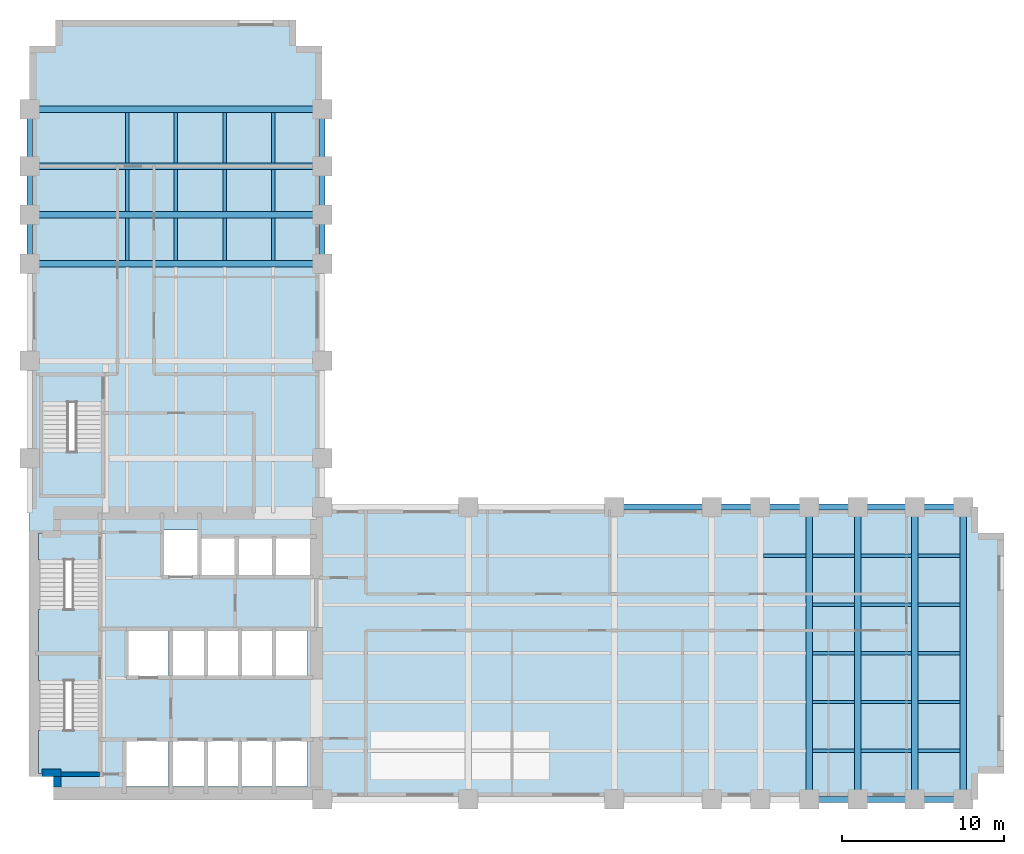
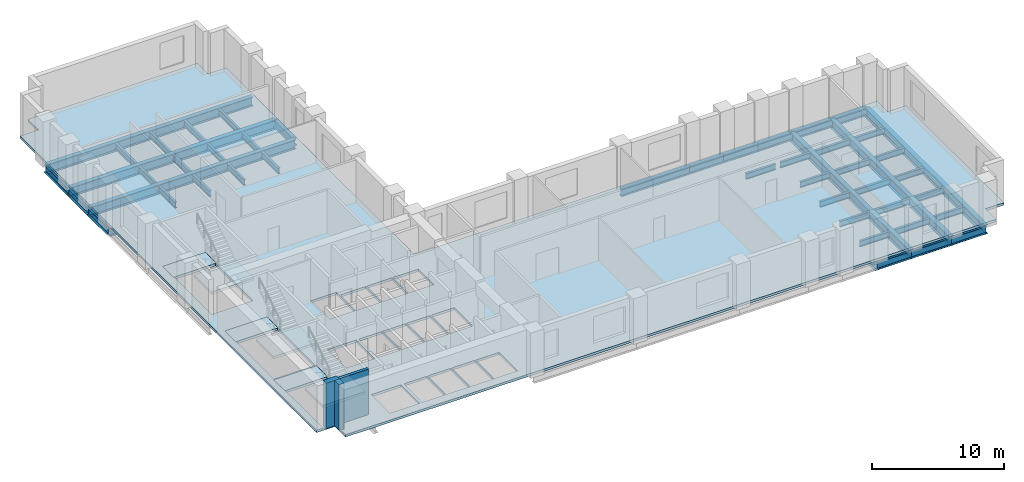
# One storey, part 2 of 7: 51 beams, 7 slabs, 3 walls, 3 elements without a shape of their own.
"""IFC4 building model written with IfcOpenShell, lengths in metres."""

from ifc_helpers import new_model, si_unit, direction, frame, frame_2d, origin, origin_2d, place, context, subcontext, project, spatial, polyline, rectangle, i_section, outline, extrude, material, layer, layer_set, material_profile, profile_set, type_object, element, aggregate, save


model = new_model("IFC4")

# Units and contexts
model_context = context("Model", 3, precision=1e-05, world=origin(), true_north=direction((0.0, 1.0)))
body_context = subcontext(model_context, "Body", "Model", "MODEL_VIEW")
ifc_project = project(units=[si_unit("LENGTHUNIT", "METRE"), si_unit("AREAUNIT", "SQUARE_METRE"), si_unit("VOLUMEUNIT", "CUBIC_METRE"), si_unit("PLANEANGLEUNIT", "RADIAN"), si_unit("MASSUNIT", "GRAM", prefix="KILO")], contexts=[model_context])

# Site, building, storey
site_placement = place(None, origin())
site = spatial("IfcSite", under=ifc_project, at=site_placement, CompositionType="ELEMENT")
building_placement = place(site_placement, origin())
building = spatial("IfcBuilding", under=site, at=building_placement, Name="Mawjdan Bourse Tower", CompositionType="ELEMENT")
storey_placement = place(building_placement, frame((0.0, 0.0, 46.800048828125)))
storey = spatial("IfcBuildingStorey", under=building, at=storey_placement, Name="L10", CompositionType="ELEMENT", Elevation=46.800048828125)

# Beams
ifc_material_1 = material(Name="Structural Steel S355", Category="steel")
ifc_material_profile_1 = material_profile(ifc_material_1, i_section(OverallWidth=0.39892578125, OverallDepth=0.85595703125, WebThickness=0.018310546875, FlangeThickness=0.029296875, FilletRadius=0.0234375, at=origin_2d()), Name="W33X201")
ifc_profile_set_1 = profile_set([ifc_material_profile_1], Name="Structural Steel S355")
beam_type_1 = type_object("IfcBeamType", Name="GRD-W33X201", PredefinedType="BEAM", material=ifc_profile_set_1)
for number, where, z_axis, x_axis, name in (
    (1, (54.0, 3.0, -0.64794921875), (0.0, 1.0, 0.0), (-1.0, 0.0, 0.0), "L10 East Wing Clear-Span Girder 006"),
    (2, (57.0, 3.0, -0.64794921875), (0.0, 1.0, 0.0), (-1.0, 0.0, 0.0), "L10 East Wing Clear-Span Girder 007"),
    (3, (60.5, 3.0, -0.64794921875), (0.0, 1.0, 0.0), (-1.0, 0.0, 0.0), "L10 East Wing Clear-Span Girder 008"),
    (4, (63.5, 3.0, -0.64794921875), (0.0, 1.0, 0.0), (-1.0, 0.0, 0.0), "L10 East Wing Clear-Span Girder 009"),
    (5, (6.0, 36.0, -0.64794921875), (1.0, 0.0, 0.0), (0.0, 1.0, 0.0), "L10 North Wing Clear-Span Girder 073"),
    (6, (6.0, 39.0, -0.64794921875), (1.0, 0.0, 0.0), (0.0, 1.0, 0.0), "L10 North Wing Clear-Span Girder 074"),
    (7, (6.0, 42.0, -0.64794921875), (1.0, 0.0, 0.0), (0.0, 1.0, 0.0), "L10 North Wing Clear-Span Girder 075"),
    (8, (6.0, 45.5, -0.64794921875), (1.0, 0.0, 0.0), (0.0, 1.0, 0.0), "L10 North Wing Clear-Span Girder 076"),
):
    element("IfcBeam", number, at=place(storey_placement, frame(where, z_axis=z_axis, x_axis=x_axis)), inside=storey, type_object=beam_type_1, Name=name, PredefinedType="BEAM", context=body_context, shape_type="SweptSolid", body=[
        extrude(i_section(OverallWidth=0.39892578125, OverallDepth=0.85595703125, WebThickness=0.018310546875, FlangeThickness=0.029296875, FilletRadius=0.0234375, at=origin_2d()), origin(), (0.0, 0.0, 1.0), 18.0),
    ])
ifc_material_profile_2 = material_profile(ifc_material_1, i_section(OverallWidth=0.2119140625, OverallDepth=0.5439453125, WebThickness=0.01318359375, FlangeThickness=0.021240234375, FilletRadius=0.01708984375, at=origin_2d()), Name="W21X83")
ifc_profile_set_2 = profile_set([ifc_material_profile_2], Name="Structural Steel S355")
beam_type_2 = type_object("IfcBeamType", Name="JST-W21X83", PredefinedType="JOIST", material=ifc_profile_set_2)
beam_1_placement = place(storey_placement, frame((54.197509765625, 6.0, -0.491943359375), z_axis=(1.0, 0.0, 0.0), x_axis=(0.0, 1.0, 0.0)))
element("IfcBeam", 9, at=beam_1_placement, inside=storey, type_object=beam_type_2, Name="L10 East Wing Composite Joist 031", PredefinedType="JOIST", context=body_context, shape_type="SweptSolid", body=[
    extrude(i_section(OverallWidth=0.2119140625, OverallDepth=0.5439453125, WebThickness=0.01318359375, FlangeThickness=0.021240234375, FilletRadius=0.01708984375, at=origin_2d()), origin(), (0.0, 0.0, 1.0), 2.60498046875),
])
beam_2_placement = place(storey_placement, frame((57.197509765625, 6.0, -0.491943359375), z_axis=(1.0, 0.0, 0.0), x_axis=(0.0, 1.0, 0.0)))
element("IfcBeam", 10, at=beam_2_placement, inside=storey, type_object=beam_type_2, Name="L10 East Wing Composite Joist 032", PredefinedType="JOIST", context=body_context, shape_type="SweptSolid", body=[
    extrude(i_section(OverallWidth=0.2119140625, OverallDepth=0.5439453125, WebThickness=0.01318359375, FlangeThickness=0.021240234375, FilletRadius=0.01708984375, at=origin_2d()), origin(), (0.0, 0.0, 1.0), 3.10498046875),
])
for number, where, z_axis, x_axis, name in (
    (11, (60.697509765625, 6.0, -0.491943359375), (1.0, 0.0, 0.0), (0.0, 1.0, 0.0), "L10 East Wing Composite Joist 033"),
    (12, (54.197509765625, 9.0, -0.491943359375), (1.0, 0.0, 0.0), (0.0, 1.0, 0.0), "L10 East Wing Composite Joist 039"),
):
    element("IfcBeam", number, at=place(storey_placement, frame(where, z_axis=z_axis, x_axis=x_axis)), inside=storey, type_object=beam_type_2, Name=name, PredefinedType="JOIST", context=body_context, shape_type="SweptSolid", body=[
        extrude(i_section(OverallWidth=0.2119140625, OverallDepth=0.5439453125, WebThickness=0.01318359375, FlangeThickness=0.021240234375, FilletRadius=0.01708984375, at=origin_2d()), origin(), (0.0, 0.0, 1.0), 2.60498046875),
    ])
beam_3_placement = place(storey_placement, frame((57.197509765625, 9.0, -0.491943359375), z_axis=(1.0, 0.0, 0.0), x_axis=(0.0, 1.0, 0.0)))
element("IfcBeam", 13, at=beam_3_placement, inside=storey, type_object=beam_type_2, Name="L10 East Wing Composite Joist 040", PredefinedType="JOIST", context=body_context, shape_type="SweptSolid", body=[
    extrude(i_section(OverallWidth=0.2119140625, OverallDepth=0.5439453125, WebThickness=0.01318359375, FlangeThickness=0.021240234375, FilletRadius=0.01708984375, at=origin_2d()), origin(), (0.0, 0.0, 1.0), 3.10498046875),
])
for number, where, z_axis, x_axis, name in (
    (14, (60.697509765625, 9.0, -0.491943359375), (1.0, 0.0, 0.0), (0.0, 1.0, 0.0), "L10 East Wing Composite Joist 041"),
    (15, (54.197509765625, 12.0, -0.491943359375), (1.0, 0.0, 0.0), (0.0, 1.0, 0.0), "L10 East Wing Composite Joist 047"),
):
    element("IfcBeam", number, at=place(storey_placement, frame(where, z_axis=z_axis, x_axis=x_axis)), inside=storey, type_object=beam_type_2, Name=name, PredefinedType="JOIST", context=body_context, shape_type="SweptSolid", body=[
        extrude(i_section(OverallWidth=0.2119140625, OverallDepth=0.5439453125, WebThickness=0.01318359375, FlangeThickness=0.021240234375, FilletRadius=0.01708984375, at=origin_2d()), origin(), (0.0, 0.0, 1.0), 2.60498046875),
    ])
beam_4_placement = place(storey_placement, frame((57.197509765625, 12.0, -0.491943359375), z_axis=(1.0, 0.0, 0.0), x_axis=(0.0, 1.0, 0.0)))
element("IfcBeam", 16, at=beam_4_placement, inside=storey, type_object=beam_type_2, Name="L10 East Wing Composite Joist 048", PredefinedType="JOIST", context=body_context, shape_type="SweptSolid", body=[
    extrude(i_section(OverallWidth=0.2119140625, OverallDepth=0.5439453125, WebThickness=0.01318359375, FlangeThickness=0.021240234375, FilletRadius=0.01708984375, at=origin_2d()), origin(), (0.0, 0.0, 1.0), 3.10498046875),
])
for number, where, z_axis, x_axis, name in (
    (17, (60.697509765625, 12.0, -0.491943359375), (1.0, 0.0, 0.0), (0.0, 1.0, 0.0), "L10 East Wing Composite Joist 049"),
    (18, (54.197509765625, 15.0, -0.491943359375), (1.0, 0.0, 0.0), (0.0, 1.0, 0.0), "L10 East Wing Composite Joist 055"),
):
    element("IfcBeam", number, at=place(storey_placement, frame(where, z_axis=z_axis, x_axis=x_axis)), inside=storey, type_object=beam_type_2, Name=name, PredefinedType="JOIST", context=body_context, shape_type="SweptSolid", body=[
        extrude(i_section(OverallWidth=0.2119140625, OverallDepth=0.5439453125, WebThickness=0.01318359375, FlangeThickness=0.021240234375, FilletRadius=0.01708984375, at=origin_2d()), origin(), (0.0, 0.0, 1.0), 2.60498046875),
    ])
beam_5_placement = place(storey_placement, frame((57.197509765625, 15.0, -0.491943359375), z_axis=(1.0, 0.0, 0.0), x_axis=(0.0, 1.0, 0.0)))
element("IfcBeam", 19, at=beam_5_placement, inside=storey, type_object=beam_type_2, Name="L10 East Wing Composite Joist 056", PredefinedType="JOIST", context=body_context, shape_type="SweptSolid", body=[
    extrude(i_section(OverallWidth=0.2119140625, OverallDepth=0.5439453125, WebThickness=0.01318359375, FlangeThickness=0.021240234375, FilletRadius=0.01708984375, at=origin_2d()), origin(), (0.0, 0.0, 1.0), 3.10498046875),
])
for number, where, z_axis, x_axis, name in (
    (20, (60.697509765625, 15.0, -0.491943359375), (1.0, 0.0, 0.0), (0.0, 1.0, 0.0), "L10 East Wing Composite Joist 057"),
    (21, (51.197509765625, 18.0, -0.491943359375), (1.0, 0.0, 0.0), (0.0, 1.0, 0.0), "L10 East Wing Composite Joist 062"),
    (22, (54.197509765625, 18.0, -0.491943359375), (1.0, 0.0, 0.0), (0.0, 1.0, 0.0), "L10 East Wing Composite Joist 063"),
):
    element("IfcBeam", number, at=place(storey_placement, frame(where, z_axis=z_axis, x_axis=x_axis)), inside=storey, type_object=beam_type_2, Name=name, PredefinedType="JOIST", context=body_context, shape_type="SweptSolid", body=[
        extrude(i_section(OverallWidth=0.2119140625, OverallDepth=0.5439453125, WebThickness=0.01318359375, FlangeThickness=0.021240234375, FilletRadius=0.01708984375, at=origin_2d()), origin(), (0.0, 0.0, 1.0), 2.60498046875),
    ])
beam_6_placement = place(storey_placement, frame((57.197509765625, 18.0, -0.491943359375), z_axis=(1.0, 0.0, 0.0), x_axis=(0.0, 1.0, 0.0)))
element("IfcBeam", 23, at=beam_6_placement, inside=storey, type_object=beam_type_2, Name="L10 East Wing Composite Joist 064", PredefinedType="JOIST", context=body_context, shape_type="SweptSolid", body=[
    extrude(i_section(OverallWidth=0.2119140625, OverallDepth=0.5439453125, WebThickness=0.01318359375, FlangeThickness=0.021240234375, FilletRadius=0.01708984375, at=origin_2d()), origin(), (0.0, 0.0, 1.0), 3.10498046875),
])
for number, where, z_axis, x_axis, name in (
    (24, (60.697509765625, 18.0, -0.491943359375), (1.0, 0.0, 0.0), (0.0, 1.0, 0.0), "L10 East Wing Composite Joist 065"),
    (25, (12.0, 36.197509765625, -0.491943359375), (0.0, 1.0, 0.0), (-1.0, 0.0, 0.0), "L10 North Wing Composite Joist 092"),
    (26, (12.0, 39.197509765625, -0.491943359375), (0.0, 1.0, 0.0), (-1.0, 0.0, 0.0), "L10 North Wing Composite Joist 093"),
):
    element("IfcBeam", number, at=place(storey_placement, frame(where, z_axis=z_axis, x_axis=x_axis)), inside=storey, type_object=beam_type_2, Name=name, PredefinedType="JOIST", context=body_context, shape_type="SweptSolid", body=[
        extrude(i_section(OverallWidth=0.2119140625, OverallDepth=0.5439453125, WebThickness=0.01318359375, FlangeThickness=0.021240234375, FilletRadius=0.01708984375, at=origin_2d()), origin(), (0.0, 0.0, 1.0), 2.60498046875),
    ])
beam_7_placement = place(storey_placement, frame((12.0, 42.197509765625, -0.491943359375), z_axis=(0.0, 1.0, 0.0), x_axis=(-1.0, 0.0, 0.0)))
element("IfcBeam", 27, at=beam_7_placement, inside=storey, type_object=beam_type_2, Name="L10 North Wing Composite Joist 094", PredefinedType="JOIST", context=body_context, shape_type="SweptSolid", body=[
    extrude(i_section(OverallWidth=0.2119140625, OverallDepth=0.5439453125, WebThickness=0.01318359375, FlangeThickness=0.021240234375, FilletRadius=0.01708984375, at=origin_2d()), origin(), (0.0, 0.0, 1.0), 3.10498046875),
])
for number, where, z_axis, x_axis, name in (
    (28, (15.0, 36.197509765625, -0.491943359375), (0.0, 1.0, 0.0), (-1.0, 0.0, 0.0), "L10 North Wing Composite Joist 098"),
    (29, (15.0, 39.197509765625, -0.491943359375), (0.0, 1.0, 0.0), (-1.0, 0.0, 0.0), "L10 North Wing Composite Joist 099"),
):
    element("IfcBeam", number, at=place(storey_placement, frame(where, z_axis=z_axis, x_axis=x_axis)), inside=storey, type_object=beam_type_2, Name=name, PredefinedType="JOIST", context=body_context, shape_type="SweptSolid", body=[
        extrude(i_section(OverallWidth=0.2119140625, OverallDepth=0.5439453125, WebThickness=0.01318359375, FlangeThickness=0.021240234375, FilletRadius=0.01708984375, at=origin_2d()), origin(), (0.0, 0.0, 1.0), 2.60498046875),
    ])
beam_8_placement = place(storey_placement, frame((15.0, 42.197509765625, -0.491943359375), z_axis=(0.0, 1.0, 0.0), x_axis=(-1.0, 0.0, 0.0)))
element("IfcBeam", 30, at=beam_8_placement, inside=storey, type_object=beam_type_2, Name="L10 North Wing Composite Joist 100", PredefinedType="JOIST", context=body_context, shape_type="SweptSolid", body=[
    extrude(i_section(OverallWidth=0.2119140625, OverallDepth=0.5439453125, WebThickness=0.01318359375, FlangeThickness=0.021240234375, FilletRadius=0.01708984375, at=origin_2d()), origin(), (0.0, 0.0, 1.0), 3.10498046875),
])
for number, where, z_axis, x_axis, name in (
    (31, (18.0, 36.197509765625, -0.491943359375), (0.0, 1.0, 0.0), (-1.0, 0.0, 0.0), "L10 North Wing Composite Joist 104"),
    (32, (18.0, 39.197509765625, -0.491943359375), (0.0, 1.0, 0.0), (-1.0, 0.0, 0.0), "L10 North Wing Composite Joist 105"),
):
    element("IfcBeam", number, at=place(storey_placement, frame(where, z_axis=z_axis, x_axis=x_axis)), inside=storey, type_object=beam_type_2, Name=name, PredefinedType="JOIST", context=body_context, shape_type="SweptSolid", body=[
        extrude(i_section(OverallWidth=0.2119140625, OverallDepth=0.5439453125, WebThickness=0.01318359375, FlangeThickness=0.021240234375, FilletRadius=0.01708984375, at=origin_2d()), origin(), (0.0, 0.0, 1.0), 2.60498046875),
    ])
beam_9_placement = place(storey_placement, frame((18.0, 42.197509765625, -0.491943359375), z_axis=(0.0, 1.0, 0.0), x_axis=(-1.0, 0.0, 0.0)))
element("IfcBeam", 33, at=beam_9_placement, inside=storey, type_object=beam_type_2, Name="L10 North Wing Composite Joist 106", PredefinedType="JOIST", context=body_context, shape_type="SweptSolid", body=[
    extrude(i_section(OverallWidth=0.2119140625, OverallDepth=0.5439453125, WebThickness=0.01318359375, FlangeThickness=0.021240234375, FilletRadius=0.01708984375, at=origin_2d()), origin(), (0.0, 0.0, 1.0), 3.10498046875),
])
for number, where, z_axis, x_axis, name in (
    (34, (21.0, 36.197509765625, -0.491943359375), (0.0, 1.0, 0.0), (-1.0, 0.0, 0.0), "L10 North Wing Composite Joist 110"),
    (35, (21.0, 39.197509765625, -0.491943359375), (0.0, 1.0, 0.0), (-1.0, 0.0, 0.0), "L10 North Wing Composite Joist 111"),
):
    element("IfcBeam", number, at=place(storey_placement, frame(where, z_axis=z_axis, x_axis=x_axis)), inside=storey, type_object=beam_type_2, Name=name, PredefinedType="JOIST", context=body_context, shape_type="SweptSolid", body=[
        extrude(i_section(OverallWidth=0.2119140625, OverallDepth=0.5439453125, WebThickness=0.01318359375, FlangeThickness=0.021240234375, FilletRadius=0.01708984375, at=origin_2d()), origin(), (0.0, 0.0, 1.0), 2.60498046875),
    ])
beam_10_placement = place(storey_placement, frame((21.0, 42.197509765625, -0.491943359375), z_axis=(0.0, 1.0, 0.0), x_axis=(-1.0, 0.0, 0.0)))
element("IfcBeam", 36, at=beam_10_placement, inside=storey, type_object=beam_type_2, Name="L10 North Wing Composite Joist 112", PredefinedType="JOIST", context=body_context, shape_type="SweptSolid", body=[
    extrude(i_section(OverallWidth=0.2119140625, OverallDepth=0.5439453125, WebThickness=0.01318359375, FlangeThickness=0.021240234375, FilletRadius=0.01708984375, at=origin_2d()), origin(), (0.0, 0.0, 1.0), 3.10498046875),
])
ifc_material_profile_3 = material_profile(ifc_material_1, i_section(OverallWidth=0.35498046875, OverallDepth=0.696044921875, WebThickness=0.015380859375, FlangeThickness=0.02490234375, FilletRadius=0.019775390625, at=origin_2d()), Name="W27X146")
ifc_profile_set_3 = profile_set([ifc_material_profile_3], Name="Structural Steel S355")
beam_type_3 = type_object("IfcBeamType", Name="SPN-W27X146", PredefinedType="SPANDREL", material=ifc_profile_set_3)
beam_11_placement = place(storey_placement, frame((54.0, 3.0, -0.568115234375), z_axis=(1.0, 0.0, 0.0), x_axis=(0.0, 1.0, 0.0)))
element("IfcBeam", 37, at=beam_11_placement, inside=storey, type_object=beam_type_3, Name="L10 Perimeter Masonry-Shelf Spandrel 015", PredefinedType="SPANDREL", context=body_context, shape_type="SweptSolid", body=[
    extrude(i_section(OverallWidth=0.35498046875, OverallDepth=0.696044921875, WebThickness=0.015380859375, FlangeThickness=0.02490234375, FilletRadius=0.019775390625, at=origin_2d()), origin(), (0.0, 0.0, 1.0), 3.0),
])
beam_12_placement = place(storey_placement, frame((57.0, 3.0, -0.568115234375), z_axis=(1.0, 0.0, 0.0), x_axis=(0.0, 1.0, 0.0)))
element("IfcBeam", 38, at=beam_12_placement, inside=storey, type_object=beam_type_3, Name="L10 Perimeter Masonry-Shelf Spandrel 016", PredefinedType="SPANDREL", context=body_context, shape_type="SweptSolid", body=[
    extrude(i_section(OverallWidth=0.35498046875, OverallDepth=0.696044921875, WebThickness=0.015380859375, FlangeThickness=0.02490234375, FilletRadius=0.019775390625, at=origin_2d()), origin(), (0.0, 0.0, 1.0), 3.5),
])
beam_13_placement = place(storey_placement, frame((60.5, 3.0, -0.568115234375), z_axis=(1.0, 0.0, 0.0), x_axis=(0.0, 1.0, 0.0)))
element("IfcBeam", 39, at=beam_13_placement, inside=storey, type_object=beam_type_3, Name="L10 Perimeter Masonry-Shelf Spandrel 017", PredefinedType="SPANDREL", context=body_context, shape_type="SweptSolid", body=[
    extrude(i_section(OverallWidth=0.35498046875, OverallDepth=0.696044921875, WebThickness=0.015380859375, FlangeThickness=0.02490234375, FilletRadius=0.019775390625, at=origin_2d()), origin(), (0.0, 0.0, 1.0), 3.0),
])
beam_14_placement = place(storey_placement, frame((42.0, 21.0, -0.568115234375), z_axis=(1.0, 0.0, 0.0), x_axis=(0.0, 1.0, 0.0)))
element("IfcBeam", 40, at=beam_14_placement, inside=storey, type_object=beam_type_3, Name="L10 Perimeter Masonry-Shelf Spandrel 020", PredefinedType="SPANDREL", context=body_context, shape_type="SweptSolid", body=[
    extrude(i_section(OverallWidth=0.35498046875, OverallDepth=0.696044921875, WebThickness=0.015380859375, FlangeThickness=0.02490234375, FilletRadius=0.019775390625, at=origin_2d()), origin(), (0.0, 0.0, 1.0), 6.0),
])
for number, where, z_axis, x_axis, name in (
    (41, (48.0, 21.0, -0.568115234375), (1.0, 0.0, 0.0), (0.0, 1.0, 0.0), "L10 Perimeter Masonry-Shelf Spandrel 021"),
    (42, (51.0, 21.0, -0.568115234375), (1.0, 0.0, 0.0), (0.0, 1.0, 0.0), "L10 Perimeter Masonry-Shelf Spandrel 022"),
    (43, (54.0, 21.0, -0.568115234375), (1.0, 0.0, 0.0), (0.0, 1.0, 0.0), "L10 Perimeter Masonry-Shelf Spandrel 023"),
):
    element("IfcBeam", number, at=place(storey_placement, frame(where, z_axis=z_axis, x_axis=x_axis)), inside=storey, type_object=beam_type_3, Name=name, PredefinedType="SPANDREL", context=body_context, shape_type="SweptSolid", body=[
        extrude(i_section(OverallWidth=0.35498046875, OverallDepth=0.696044921875, WebThickness=0.015380859375, FlangeThickness=0.02490234375, FilletRadius=0.019775390625, at=origin_2d()), origin(), (0.0, 0.0, 1.0), 3.0),
    ])
beam_15_placement = place(storey_placement, frame((57.0, 21.0, -0.568115234375), z_axis=(1.0, 0.0, 0.0), x_axis=(0.0, 1.0, 0.0)))
element("IfcBeam", 44, at=beam_15_placement, inside=storey, type_object=beam_type_3, Name="L10 Perimeter Masonry-Shelf Spandrel 024", PredefinedType="SPANDREL", context=body_context, shape_type="SweptSolid", body=[
    extrude(i_section(OverallWidth=0.35498046875, OverallDepth=0.696044921875, WebThickness=0.015380859375, FlangeThickness=0.02490234375, FilletRadius=0.019775390625, at=origin_2d()), origin(), (0.0, 0.0, 1.0), 3.5),
])
for number, where, z_axis, x_axis, name in (
    (45, (60.5, 21.0, -0.568115234375), (1.0, 0.0, 0.0), (0.0, 1.0, 0.0), "L10 Perimeter Masonry-Shelf Spandrel 025"),
    (46, (6.0, 36.0, -0.568115234375), (0.0, 1.0, 0.0), (-1.0, 0.0, 0.0), "L10 North Wing Spandrel 080"),
    (47, (6.0, 39.0, -0.568115234375), (0.0, 1.0, 0.0), (-1.0, 0.0, 0.0), "L10 North Wing Spandrel 081"),
):
    element("IfcBeam", number, at=place(storey_placement, frame(where, z_axis=z_axis, x_axis=x_axis)), inside=storey, type_object=beam_type_3, Name=name, PredefinedType="SPANDREL", context=body_context, shape_type="SweptSolid", body=[
        extrude(i_section(OverallWidth=0.35498046875, OverallDepth=0.696044921875, WebThickness=0.015380859375, FlangeThickness=0.02490234375, FilletRadius=0.019775390625, at=origin_2d()), origin(), (0.0, 0.0, 1.0), 3.0),
    ])
beam_16_placement = place(storey_placement, frame((6.0, 42.0, -0.568115234375), z_axis=(0.0, 1.0, 0.0), x_axis=(-1.0, 0.0, 0.0)))
element("IfcBeam", 48, at=beam_16_placement, inside=storey, type_object=beam_type_3, Name="L10 North Wing Spandrel 082", PredefinedType="SPANDREL", context=body_context, shape_type="SweptSolid", body=[
    extrude(i_section(OverallWidth=0.35498046875, OverallDepth=0.696044921875, WebThickness=0.015380859375, FlangeThickness=0.02490234375, FilletRadius=0.019775390625, at=origin_2d()), origin(), (0.0, 0.0, 1.0), 3.5),
])
for number, where, z_axis, x_axis, name in (
    (49, (24.0, 36.0, -0.568115234375), (0.0, 1.0, 0.0), (-1.0, 0.0, 0.0), "L10 North Wing Spandrel 086"),
    (50, (24.0, 39.0, -0.568115234375), (0.0, 1.0, 0.0), (-1.0, 0.0, 0.0), "L10 North Wing Spandrel 087"),
):
    element("IfcBeam", number, at=place(storey_placement, frame(where, z_axis=z_axis, x_axis=x_axis)), inside=storey, type_object=beam_type_3, Name=name, PredefinedType="SPANDREL", context=body_context, shape_type="SweptSolid", body=[
        extrude(i_section(OverallWidth=0.35498046875, OverallDepth=0.696044921875, WebThickness=0.015380859375, FlangeThickness=0.02490234375, FilletRadius=0.019775390625, at=origin_2d()), origin(), (0.0, 0.0, 1.0), 3.0),
    ])
beam_17_placement = place(storey_placement, frame((24.0, 42.0, -0.568115234375), z_axis=(0.0, 1.0, 0.0), x_axis=(-1.0, 0.0, 0.0)))
element("IfcBeam", 51, at=beam_17_placement, inside=storey, type_object=beam_type_3, Name="L10 North Wing Spandrel 088", PredefinedType="SPANDREL", context=body_context, shape_type="SweptSolid", body=[
    extrude(i_section(OverallWidth=0.35498046875, OverallDepth=0.696044921875, WebThickness=0.015380859375, FlangeThickness=0.02490234375, FilletRadius=0.019775390625, at=origin_2d()), origin(), (0.0, 0.0, 1.0), 3.5),
])

# Stair, slabs
ifc_material_2 = material(Name="Concrete C50/60", Category="concrete")
stair_type = type_object("IfcStairType", Name="STR-CORE-1500", PredefinedType="HALF_TURN_STAIR", material=ifc_material_2)
stair_1_placement = place(storey_placement, origin())
stair_1 = element("IfcStair", 52, at=stair_1_placement, inside=storey, type_object=stair_type, Name="L10 Exit Stair 1 (Core South-West)", PredefinedType="HALF_TURN_STAIR")
ifc_layer_1 = layer(ifc_material_2, 0.22998046875)
ifc_layer_set_1 = layer_set([ifc_layer_1], Name="Concrete C50/60")
slab_type_1 = type_object("IfcSlabType", Name="SL-LND-230", PredefinedType="LANDING", material=ifc_layer_set_1)
slab_1_placement = place(storey_placement, frame((0.0, 0.0, -0.22998046875)))
slab_1 = element("IfcSlab", 53, at=slab_1_placement, type_object=slab_type_1, Name="ST1-L10 landing 1", PredefinedType="LANDING", context=body_context, shape_type="SweptSolid", body=[
    extrude(outline(polyline([(6.5400390625, 10.31005859375), (10.260009765625, 10.31005859375), (10.260009765625, 11.969970703125), (6.5400390625, 11.969970703125), (6.5400390625, 10.31005859375)])), origin(), (0.0, 0.0, 1.0), 0.22998046875),
])
slab_2_placement = place(storey_placement, frame((0.0, 0.0, 1.869873046875)))
slab_2 = element("IfcSlab", 54, at=slab_2_placement, type_object=slab_type_1, Name="ST1-L10 landing 2", PredefinedType="LANDING", context=body_context, shape_type="SweptSolid", body=[
    extrude(outline(polyline([(6.5400390625, 4.590087890625), (10.260009765625, 4.590087890625), (10.260009765625, 7.2548828125), (6.5400390625, 7.2548828125), (6.5400390625, 4.590087890625)])), origin(), (0.0, 0.0, 1.0), 0.22998046875),
])
aggregate(stair_1, [slab_1, slab_2])

stair_2_placement = place(storey_placement, origin())
stair_2 = element("IfcStair", 55, at=stair_2_placement, inside=storey, type_object=stair_type, Name="L10 Exit Stair 2 (Core North-West)", PredefinedType="HALF_TURN_STAIR")
slab_3_placement = place(storey_placement, frame((0.0, 0.0, -0.22998046875)))
slab_3 = element("IfcSlab", 56, at=slab_3_placement, type_object=slab_type_1, Name="ST2-L10 landing 1", PredefinedType="LANDING", context=body_context, shape_type="SweptSolid", body=[
    extrude(outline(polyline([(6.5400390625, 17.75), (10.260009765625, 17.75), (10.260009765625, 19.409912109375), (6.5400390625, 19.409912109375), (6.5400390625, 17.75)])), origin(), (0.0, 0.0, 1.0), 0.22998046875),
])
slab_4_placement = place(storey_placement, frame((0.0, 0.0, 1.869873046875)))
slab_4 = element("IfcSlab", 57, at=slab_4_placement, type_object=slab_type_1, Name="ST2-L10 landing 2", PredefinedType="LANDING", context=body_context, shape_type="SweptSolid", body=[
    extrude(outline(polyline([(6.5400390625, 12.030029296875), (10.260009765625, 12.030029296875), (10.260009765625, 14.695068359375), (6.5400390625, 14.695068359375), (6.5400390625, 12.030029296875)])), origin(), (0.0, 0.0, 1.0), 0.22998046875),
])
aggregate(stair_2, [slab_3, slab_4])

stair_3_placement = place(storey_placement, origin())
stair_3 = element("IfcStair", 58, at=stair_3_placement, inside=storey, type_object=stair_type, Name="L10 Exit Stair 3 (North Wing)", PredefinedType="HALF_TURN_STAIR")
slab_5_placement = place(storey_placement, frame((0.0, 0.0, -0.22998046875)))
slab_5 = element("IfcSlab", 59, at=slab_5_placement, type_object=slab_type_1, Name="ST3-L10 landing 1", PredefinedType="LANDING", context=body_context, shape_type="SweptSolid", body=[
    extrude(outline(polyline([(6.739990234375, 27.4599609375), (10.4599609375, 27.4599609375), (10.4599609375, 29.1201171875), (6.739990234375, 29.1201171875), (6.739990234375, 27.4599609375)])), origin(), (0.0, 0.0, 1.0), 0.22998046875),
])
slab_6_placement = place(storey_placement, frame((0.0, 0.0, 1.869873046875)))
slab_6 = element("IfcSlab", 60, at=slab_6_placement, type_object=slab_type_1, Name="ST3-L10 landing 2", PredefinedType="LANDING", context=body_context, shape_type="SweptSolid", body=[
    extrude(outline(polyline([(6.739990234375, 21.739990234375), (10.4599609375, 21.739990234375), (10.4599609375, 24.405029296875), (6.739990234375, 24.405029296875), (6.739990234375, 21.739990234375)])), origin(), (0.0, 0.0, 1.0), 0.22998046875),
])
aggregate(stair_3, [slab_5, slab_6])

# Slab
ifc_layer_2 = layer(ifc_material_2, 0.219970703125)
ifc_layer_set_2 = layer_set([ifc_layer_2], Name="Concrete C50/60")
slab_type_2 = type_object("IfcSlabType", Name="SL-TRD-220", PredefinedType="FLOOR", material=ifc_layer_set_2)
slab_7_placement = place(storey_placement, frame((0.0, 0.0, -0.219970703125)))
element("IfcSlab", 61, at=slab_7_placement, inside=storey, type_object=slab_type_2, Name="L10 Structural Floor Slab 1", PredefinedType="FLOOR", context=body_context, shape_type="SweptSolid", body=[
    extrude(outline(polyline([(7.60009765625, 3.0), (64.39990234375, 3.0), (64.39990234375, 4.60009765625), (66.0, 4.60009765625), (66.0, 19.39990234375), (64.39990234375, 19.39990234375), (64.39990234375, 21.0), (24.0, 21.0), (24.0, 49.39990234375), (22.39990234375, 49.39990234375), (22.39990234375, 51.0), (7.60009765625, 51.0), (7.60009765625, 49.39990234375), (6.0, 49.39990234375), (6.0, 4.60009765625), (7.60009765625, 4.60009765625), (7.60009765625, 3.0)]), holes=[polyline([(11.949951171875, 3.800048828125), (11.949951171875, 6.60009765625), (14.550048828125, 6.60009765625), (14.550048828125, 3.800048828125), (11.949951171875, 3.800048828125)]), polyline([(14.800048828125, 3.800048828125), (14.800048828125, 6.60009765625), (16.800048828125, 6.60009765625), (16.800048828125, 3.800048828125), (14.800048828125, 3.800048828125)]), polyline([(10.260009765625, 11.969970703125), (10.260009765625, 10.31005859375), (10.199951171875, 10.31005859375), (10.199951171875, 4.64990234375), (6.60009765625, 4.64990234375), (6.60009765625, 10.31005859375), (6.5400390625, 10.31005859375), (6.5400390625, 11.969970703125), (10.260009765625, 11.969970703125)]), polyline([(12.050048828125, 13.39990234375), (14.550048828125, 13.39990234375), (14.550048828125, 10.60009765625), (12.050048828125, 10.60009765625), (12.050048828125, 13.39990234375)]), polyline([(6.60009765625, 17.75), (6.5400390625, 17.75), (6.5400390625, 19.409912109375), (10.260009765625, 19.409912109375), (10.260009765625, 17.75), (10.199951171875, 17.75), (10.199951171875, 12.090087890625), (6.60009765625, 12.090087890625), (6.60009765625, 17.75)]), polyline([(14.199951171875, 16.800048828125), (14.199951171875, 19.60009765625), (16.39990234375, 19.60009765625), (16.39990234375, 16.800048828125), (14.199951171875, 16.800048828125)]), polyline([(10.4599609375, 27.4599609375), (10.39990234375, 27.4599609375), (10.39990234375, 21.800048828125), (6.800048828125, 21.800048828125), (6.800048828125, 27.4599609375), (6.739990234375, 27.4599609375), (6.739990234375, 29.1201171875), (10.4599609375, 29.1201171875), (10.4599609375, 27.4599609375)]), polyline([(16.89990234375, 3.800048828125), (16.89990234375, 6.60009765625), (18.89990234375, 6.60009765625), (18.89990234375, 3.800048828125), (16.89990234375, 3.800048828125)]), polyline([(19.0, 3.800048828125), (19.0, 6.60009765625), (21.0, 6.60009765625), (21.0, 3.800048828125), (19.0, 3.800048828125)]), polyline([(21.10009765625, 3.800048828125), (21.10009765625, 6.60009765625), (23.10009765625, 6.60009765625), (23.10009765625, 3.800048828125), (21.10009765625, 3.800048828125)]), polyline([(14.800048828125, 13.39990234375), (16.800048828125, 13.39990234375), (16.800048828125, 10.60009765625), (14.800048828125, 10.60009765625), (14.800048828125, 13.39990234375)]), polyline([(16.89990234375, 13.39990234375), (18.89990234375, 13.39990234375), (18.89990234375, 10.60009765625), (16.89990234375, 10.60009765625), (16.89990234375, 13.39990234375)]), polyline([(19.0, 10.60009765625), (19.0, 13.39990234375), (21.0, 13.39990234375), (21.0, 10.60009765625), (19.0, 10.60009765625)]), polyline([(21.10009765625, 10.60009765625), (21.10009765625, 13.39990234375), (23.10009765625, 13.39990234375), (23.10009765625, 10.60009765625), (21.10009765625, 10.60009765625)]), polyline([(16.5, 16.800048828125), (16.5, 19.14990234375), (18.699951171875, 19.14990234375), (18.699951171875, 16.800048828125), (16.5, 16.800048828125)]), polyline([(18.800048828125, 19.14990234375), (21.0, 19.14990234375), (21.0, 16.800048828125), (18.800048828125, 16.800048828125), (18.800048828125, 19.14990234375)]), polyline([(21.10009765625, 19.14990234375), (23.300048828125, 19.14990234375), (23.300048828125, 16.800048828125), (21.10009765625, 16.800048828125), (21.10009765625, 19.14990234375)])]), origin(), (0.0, 0.0, 1.0), 0.219970703125),
])

# Walls
ifc_material_3 = material(Name="Concrete C60/75", Category="concrete")
ifc_layer_3 = layer(ifc_material_3, 0.449951171875)
ifc_layer_set_3 = layer_set([ifc_layer_3], Name="Concrete C60/75")
wall_type_1 = type_object("IfcWallType", Name="WL-CORE-450", PredefinedType="SHEAR", material=ifc_layer_set_3)
wall_1_placement = place(storey_placement, frame((6.75, 4.64990234375, 0.0), z_axis=(0.0, 0.0, 1.0), x_axis=(1.0, 0.0, 0.0)))
element("IfcWall", 62, at=wall_1_placement, inside=storey, type_object=wall_type_1, Name="L10 Rear Core Shear Wall SW-X", PredefinedType="SHEAR", context=body_context, shape_type="SweptSolid", body=[
    extrude(rectangle(XDim=1.175048828125, YDim=0.449951171875, at=frame_2d((0.58740234375, 0.0))), origin(), (0.0, 0.0, 1.0), 4.199951171875),
])
wall_2_placement = place(storey_placement, frame((7.699951171875, 3.75, 0.0), z_axis=(0.0, 0.0, 1.0), x_axis=(0.0, 1.0, 0.0)))
element("IfcWall", 63, at=wall_2_placement, inside=storey, type_object=wall_type_1, Name="L10 Rear Core Shear Wall SW-Y", PredefinedType="SHEAR", context=body_context, shape_type="SweptSolid", body=[
    extrude(rectangle(XDim=0.675048828125, YDim=0.449951171875, at=frame_2d((0.33740234375, 0.0))), origin(), (0.0, 0.0, 1.0), 4.199951171875),
])
ifc_layer_4 = layer(ifc_material_2, 0.25)
ifc_layer_set_4 = layer_set([ifc_layer_4], Name="Concrete C50/60")
wall_type_2 = type_object("IfcWallType", Name="WL-STRW-250", PredefinedType="SHEAR", material=ifc_layer_set_4)
wall_3_placement = place(storey_placement, frame((7.699951171875, 4.550048828125, 0.0), z_axis=(0.0, 0.0, 1.0), x_axis=(1.0, 0.0, 0.0)))
element("IfcWall", 64, at=wall_3_placement, inside=storey, type_object=wall_type_2, Name="L10 Stairwell ST1 South Shaft Wall", PredefinedType="SHEAR", context=body_context, shape_type="SweptSolid", body=[
    extrude(rectangle(XDim=2.755126953125, YDim=0.25, at=frame_2d((1.37744140625, 0.0))), origin(), (0.0, 0.0, 1.0), 4.199951171875),
])

save(model, "model.ifc")
